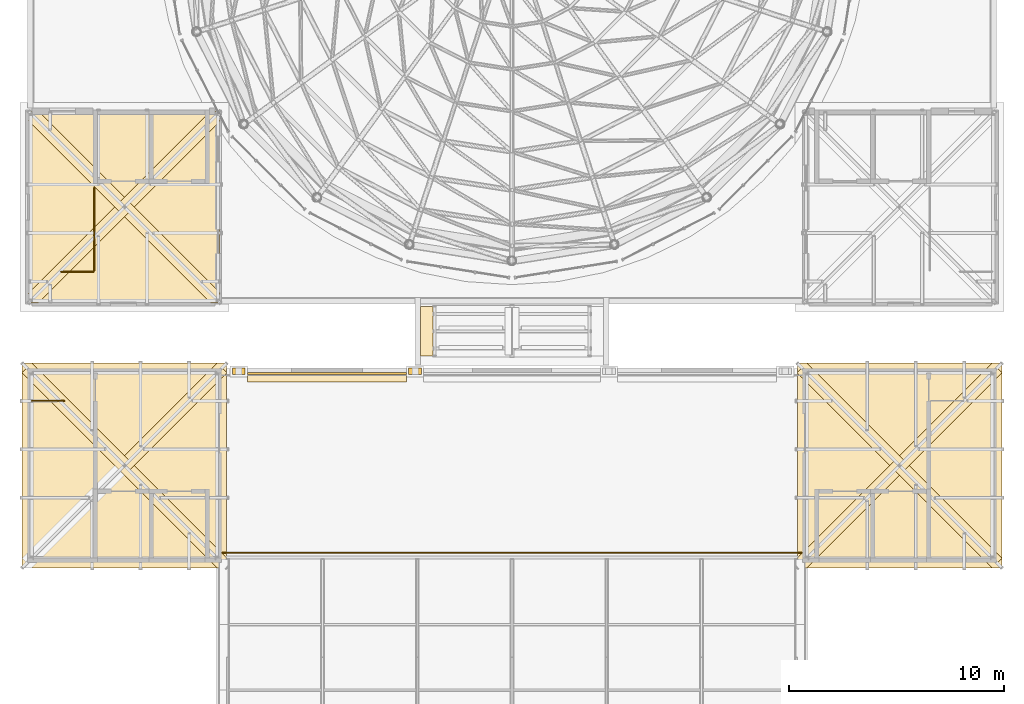
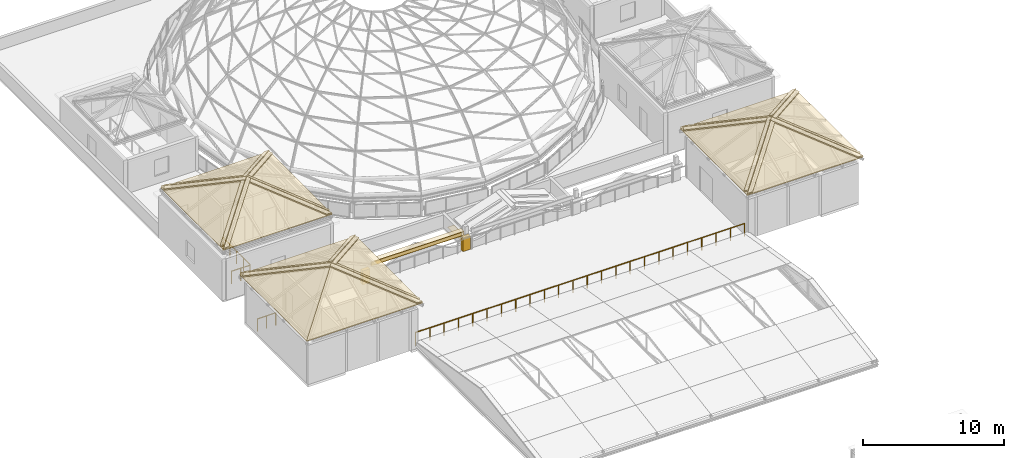
# One storey, part 66 of 69: 39 coverings, 4 railings.
"""IFC4 building model written with IfcOpenShell, lengths in metres."""

from ifc_helpers import new_model, si_unit, direction, frame, origin, origin_2d, place, context, subcontext, project, spatial, polyline, rectangle, circle, outline, extrude, material, layer, layer_set, type_object, element, save


model = new_model("IFC4")

# Units and contexts
model_context = context("Model", 3, precision=1e-05, world=origin(), true_north=direction((0.0, 1.0)))
body_context = subcontext(model_context, "Body", "Model", "MODEL_VIEW")
ifc_project = project(units=[si_unit("LENGTHUNIT", "METRE"), si_unit("AREAUNIT", "SQUARE_METRE"), si_unit("VOLUMEUNIT", "CUBIC_METRE"), si_unit("PLANEANGLEUNIT", "RADIAN"), si_unit("MASSUNIT", "GRAM", prefix="KILO")], contexts=[model_context])

# Site, building, storey
site_placement = place(None, origin())
site = spatial("IfcSite", under=ifc_project, at=site_placement, CompositionType="ELEMENT")
building_placement = place(site_placement, origin())
building = spatial("IfcBuilding", under=site, at=building_placement, Name="Kallimachos Central Library", CompositionType="ELEMENT")
storey_placement = place(building_placement, frame((0.0, 0.0, 23.39990234375)))
storey = spatial("IfcBuildingStorey", under=building, at=storey_placement, Name="L05", CompositionType="ELEMENT", Elevation=23.39990234375)

# Coverings
ifc_material_1 = material(Name="Glazed ceramic hip tile")
ifc_layer_1 = layer(ifc_material_1, 0.1201171875)
ifc_layer_set_1 = layer_set([ifc_layer_1], Name="Ceramic hip tile 300")
covering_type_1 = type_object("IfcCoveringType", Name="Ceramic hip tile 300", PredefinedType="MOLDING", material=ifc_layer_set_1)
covering_1_placement = place(storey_placement, frame((74.7216796875, 74.75, 4.15478515625), z_axis=(0.000236468736, -0.406535481479, 0.913634963419), x_axis=(-0.999999972041, -9.6132934e-05, 0.000216046111)))
element("IfcCovering", 1, at=covering_1_placement, inside=storey, type_object=covering_type_1, Name="Head-house roof V4-NW hip tile", PredefinedType="MOLDING", context=body_context, shape_type="SweptSolid", body=[
    extrude(outline(polyline([(0.0, 0.0), (0.42407225376847724, 0.0), (4.947998185214756, -4.951821417594038), (4.735839952445034, -5.183967781277374), (0.0, 0.0)])), origin(), (0.0, 0.0, -1.0), 0.1201171875),
])
covering_2_placement = place(storey_placement, frame((70.01416015625, 79.51416015625, 6.26318359375), z_axis=(0.406519720699, -0.000257103097, 0.913641970676), x_axis=(0.674494639355, 0.67461350523, -0.29992265677)))
element("IfcCovering", 2, at=covering_2_placement, inside=storey, type_object=covering_type_1, Name="Head-house roof V4-NW hip tile", PredefinedType="MOLDING", context=body_context, shape_type="SweptSolid", body=[
    extrude(outline(polyline([(0.0, 0.0), (0.31448855545818816, -1.3877787807814457e-17), (0.9178784087407565, -6.679997146065238), (0.8989378440187334, -6.700722164353749), (0.6053834533078899, -6.700671049751256), (0.0, 0.0)])), origin(), (0.0, 0.0, -1.0), 0.1201171875),
])
covering_3_placement = place(storey_placement, frame((70.226318359375, 79.726318359375, 6.1689453125), z_axis=(-0.000236468736, 0.406535481479, 0.913634963419), x_axis=(-0.674613510996, -0.674483805089, 0.299947007744)))
element("IfcCovering", 3, at=covering_3_placement, inside=storey, type_object=covering_type_1, Name="Head-house roof V4-NW hip tile", PredefinedType="MOLDING", context=body_context, shape_type="SweptSolid", body=[
    extrude(outline(polyline([(0.0, 0.0), (0.31448855289718697, 6.938893903907228e-18), (-0.31730498315910727, -6.993035030678305), (-0.6033898631884471, -6.679997145056015), (0.0, 0.0)])), origin(), (0.0, 0.0, -1.0), 0.1201171875),
])
covering_4_placement = place(storey_placement, frame((69.98583984375, 79.48583984375, 6.26318359375), z_axis=(-0.406519720699, 0.000257103097, 0.913641970676), x_axis=(-0.674494639355, -0.67461350523, -0.29992265677)))
element("IfcCovering", 4, at=covering_4_placement, inside=storey, type_object=covering_type_1, Name="Head-house roof V4-NW hip tile", PredefinedType="MOLDING", context=body_context, shape_type="SweptSolid", body=[
    extrude(outline(polyline([(0.0, 0.0), (0.31448855545818816, -1.3877787807814457e-17), (0.9178784087407565, -6.679997146065238), (0.8989378440187334, -6.700722164353749), (0.6053834533078899, -6.700671049751256), (0.0, 0.0)])), origin(), (0.0, 0.0, -1.0), 0.1201171875),
])
covering_5_placement = place(storey_placement, frame((69.98583984375, 79.51416015625, 6.26318359375), z_axis=(0.000236468736, 0.406535481479, 0.913634963419), x_axis=(-0.674613510996, 0.674483805089, -0.299947007744)))
element("IfcCovering", 5, at=covering_5_placement, inside=storey, type_object=covering_type_1, Name="Head-house roof V4-NW hip tile", PredefinedType="MOLDING", context=body_context, shape_type="SweptSolid", body=[
    extrude(outline(polyline([(0.0, 0.0), (0.31448855289718697, -6.938893903907228e-18), (0.9178784160856339, -6.6799971450560145), (0.6317935360562941, -6.993035030678304), (0.0, 0.0)])), origin(), (0.0, 0.0, -1.0), 0.1201171875),
])
covering_6_placement = place(storey_placement, frame((74.552001953125, 84.023681640625, 4.242919921875), z_axis=(0.406519720699, 0.000257103097, 0.913641970676), x_axis=(0.674601937386, -0.674484962362, -0.299970434582)))
element("IfcCovering", 6, at=covering_6_placement, inside=storey, type_object=covering_type_1, Name="Head-house roof V4-NW hip tile", PredefinedType="MOLDING", context=body_context, shape_type="SweptSolid", body=[
    extrude(outline(polyline([(0.0, 0.0), (0.29355439516096016, -3.469446951953614e-17), (0.3124913508913393, -0.020728315964252488), (-0.29206163508227867, -6.700620296650352), (-0.6065501857730001, -6.70056553692689), (0.0, 0.0)])), origin(), (0.0, 0.0, -1.0), 0.1201171875),
])
covering_7_placement = place(storey_placement, frame((106.01416015625, 79.48583984375, 6.26318359375), z_axis=(-0.000236468736, -0.406535481479, 0.913634963419), x_axis=(0.674613510996, -0.674483805089, -0.299947007744)))
element("IfcCovering", 7, at=covering_7_placement, inside=storey, type_object=covering_type_1, Name="Head-house roof V4-NE hip tile", PredefinedType="MOLDING", context=body_context, shape_type="SweptSolid", body=[
    extrude(outline(polyline([(0.0, 0.0), (0.31448855289718697, -6.938893903907228e-18), (0.9178784160856339, -6.6799971450560145), (0.6317935360562941, -6.993035030678304), (0.0, 0.0)])), origin(), (0.0, 0.0, -1.0), 0.1201171875),
])
covering_8_placement = place(storey_placement, frame((105.773681640625, 79.726318359375, 6.1689453125), z_axis=(-0.406519720699, -0.000257103097, 0.913641970676), x_axis=(0.674494639355, -0.67461350523, 0.29992265677)))
element("IfcCovering", 8, at=covering_8_placement, inside=storey, type_object=covering_type_1, Name="Head-house roof V4-NE hip tile", PredefinedType="MOLDING", context=body_context, shape_type="SweptSolid", body=[
    extrude(outline(polyline([(0.0, 0.0), (0.31448855545818816, 1.3877787807814457e-17), (-0.2908948978497018, -6.700671049751256), (-0.5844492885605453, -6.700722164353748), (-0.6033898532825684, -6.679997146065239), (0.0, 0.0)])), origin(), (0.0, 0.0, -1.0), 0.1201171875),
])
covering_9_placement = place(storey_placement, frame((110.7216796875, 74.75, 4.15478515625), z_axis=(0.000236468736, -0.406535481479, 0.913634963419), x_axis=(-0.999999972041, -9.6132934e-05, 0.000216046111)))
element("IfcCovering", 9, at=covering_9_placement, inside=storey, type_object=covering_type_1, Name="Head-house roof V4-NE hip tile", PredefinedType="MOLDING", context=body_context, shape_type="SweptSolid", body=[
    extrude(outline(polyline([(0.0, 0.0), (0.42407225376847724, 0.0), (4.947998185214756, -4.951821417594038), (4.735839952445034, -5.183967781277374), (0.0, 0.0)])), origin(), (0.0, 0.0, -1.0), 0.1201171875),
])
covering_10_placement = place(storey_placement, frame((106.01416015625, 79.51416015625, 6.26318359375), z_axis=(0.406519720699, -0.000257103097, 0.913641970676), x_axis=(0.674494639355, 0.67461350523, -0.29992265677)))
element("IfcCovering", 10, at=covering_10_placement, inside=storey, type_object=covering_type_1, Name="Head-house roof V4-NE hip tile", PredefinedType="MOLDING", context=body_context, shape_type="SweptSolid", body=[
    extrude(outline(polyline([(0.0, 0.0), (0.31448855545818816, -1.3877787807814457e-17), (0.9178784087407565, -6.679997146065238), (0.8989378440187334, -6.700722164353749), (0.6053834533078899, -6.700671049751256), (0.0, 0.0)])), origin(), (0.0, 0.0, -1.0), 0.1201171875),
])
covering_11_placement = place(storey_placement, frame((106.226318359375, 79.726318359375, 6.1689453125), z_axis=(-0.000236468736, 0.406535481479, 0.913634963419), x_axis=(-0.674613510996, -0.674483805089, 0.299947007744)))
element("IfcCovering", 11, at=covering_11_placement, inside=storey, type_object=covering_type_1, Name="Head-house roof V4-NE hip tile", PredefinedType="MOLDING", context=body_context, shape_type="SweptSolid", body=[
    extrude(outline(polyline([(0.0, 0.0), (0.31448855289718697, 6.938893903907228e-18), (-0.31730498315910727, -6.993035030678305), (-0.6033898631884471, -6.679997145056015), (0.0, 0.0)])), origin(), (0.0, 0.0, -1.0), 0.1201171875),
])
covering_12_placement = place(storey_placement, frame((105.98583984375, 79.48583984375, 6.26318359375), z_axis=(-0.406519720699, 0.000257103097, 0.913641970676), x_axis=(-0.674494639355, -0.67461350523, -0.29992265677)))
element("IfcCovering", 12, at=covering_12_placement, inside=storey, type_object=covering_type_1, Name="Head-house roof V4-NE hip tile", PredefinedType="MOLDING", context=body_context, shape_type="SweptSolid", body=[
    extrude(outline(polyline([(0.0, 0.0), (0.31448855545818816, -1.3877787807814457e-17), (0.9178784087407565, -6.679997146065238), (0.8989378440187334, -6.700722164353749), (0.6053834533078899, -6.700671049751256), (0.0, 0.0)])), origin(), (0.0, 0.0, -1.0), 0.1201171875),
])
covering_13_placement = place(storey_placement, frame((105.98583984375, 79.51416015625, 6.26318359375), z_axis=(0.000236468736, 0.406535481479, 0.913634963419), x_axis=(-0.674613510996, 0.674483805089, -0.299947007744)))
element("IfcCovering", 13, at=covering_13_placement, inside=storey, type_object=covering_type_1, Name="Head-house roof V4-NE hip tile", PredefinedType="MOLDING", context=body_context, shape_type="SweptSolid", body=[
    extrude(outline(polyline([(0.0, 0.0), (0.31448855289718697, -6.938893903907228e-18), (0.9178784160856339, -6.6799971450560145), (0.6317935360562941, -6.993035030678304), (0.0, 0.0)])), origin(), (0.0, 0.0, -1.0), 0.1201171875),
])
covering_14_placement = place(storey_placement, frame((110.552001953125, 84.023681640625, 4.242919921875), z_axis=(0.406519720699, 0.000257103097, 0.913641970676), x_axis=(0.674601937386, -0.674484962362, -0.299970434582)))
element("IfcCovering", 14, at=covering_14_placement, inside=storey, type_object=covering_type_1, Name="Head-house roof V4-NE hip tile", PredefinedType="MOLDING", context=body_context, shape_type="SweptSolid", body=[
    extrude(outline(polyline([(0.0, 0.0), (0.29355439516096016, -3.469446951953614e-17), (0.3124913508913393, -0.020728315964252488), (-0.29206163508227867, -6.700620296650352), (-0.6065501857730001, -6.70056553692689), (0.0, 0.0)])), origin(), (0.0, 0.0, -1.0), 0.1201171875),
])
covering_15_placement = place(storey_placement, frame((70.01416015625, 91.48583984375, 6.435546875), z_axis=(3.056612e-05, -0.406744607854, 0.913541910942), x_axis=(0.67445632232, -0.674473081909, -0.300324376404)))
element("IfcCovering", 15, at=covering_15_placement, inside=storey, type_object=covering_type_1, Name="Head-house roof V1-SW hip tile", PredefinedType="MOLDING", context=body_context, shape_type="SweptSolid", body=[
    extrude(outline(polyline([(0.0, 0.0), (0.31456181297449826, 0.0), (0.8791892132729303, -6.23676214063371), (0.5931709926014294, -6.549860948916669), (0.0, 0.0)])), origin(), (0.0, 0.0, -1.0), 0.1201171875),
])
covering_16_placement = place(storey_placement, frame((65.748046875, 87.2763671875, 4.548583984375), z_axis=(-0.406522422239, -0.000261720256, 0.913640767326), x_axis=(-0.674461665725, 0.674653452082, -0.299906954005)))
element("IfcCovering", 16, at=covering_16_placement, inside=storey, type_object=covering_type_1, Name="Head-house roof V1-SW hip tile", PredefinedType="MOLDING", context=body_context, shape_type="SweptSolid", body=[
    extrude(outline(polyline([(0.0, 0.0), (0.293481167964776, -2.0816681711721685e-17), (0.31242285424149907, -0.02072399320001158), (-0.25053876741853565, -6.257636714854118), (-0.5651005419729046, -6.257720735271162), (0.0, 0.0)])), origin(), (0.0, 0.0, -1.0), 0.1201171875),
])
covering_17_placement = place(storey_placement, frame((74.421630859375, 87.050048828125, 4.460693359375), z_axis=(-3.056612e-05, -0.406744607854, 0.913541910942), x_axis=(-0.999999999533, 1.2432605e-05, -2.7923432e-05)))
element("IfcCovering", 17, at=covering_17_placement, inside=storey, type_object=covering_type_1, Name="Head-house roof V1-SW hip tile", PredefinedType="MOLDING", context=body_context, shape_type="SweptSolid", body=[
    extrude(outline(polyline([(0.0, 0.0), (0.42407226542689724, 0.0), (4.6479492209212605, -4.623296395955315), (4.435791017300947, -4.855542022003266), (0.0, 0.0)])), origin(), (0.0, 0.0, -1.0), 0.1201171875),
])
covering_18_placement = place(storey_placement, frame((70.01416015625, 91.51416015625, 6.435546875), z_axis=(0.406522422239, -0.000261720256, 0.913640767326), x_axis=(0.674626260598, 0.674456270009, -0.299980246612)))
element("IfcCovering", 18, at=covering_18_placement, inside=storey, type_object=covering_type_1, Name="Head-house roof V1-SW hip tile", PredefinedType="MOLDING", context=body_context, shape_type="SweptSolid", body=[
    extrude(outline(polyline([(0.0, 0.0), (0.31456178577542476, 1.734723475976807e-17), (0.8791892858562154, -6.236762130396304), (0.8602531356972789, -6.257491182239505), (0.56677197820157, -6.257569571958925), (0.0, 0.0)])), origin(), (0.0, 0.0, -1.0), 0.1201171875),
])
covering_19_placement = place(storey_placement, frame((65.578369140625, 95.949951171875, 4.460693359375), z_axis=(3.056612e-05, 0.406744607854, 0.913541910942), x_axis=(0.999999999533, -1.2432605e-05, -2.7923432e-05)))
element("IfcCovering", 19, at=covering_19_placement, inside=storey, type_object=covering_type_1, Name="Head-house roof V1-SW hip tile", PredefinedType="MOLDING", context=body_context, shape_type="SweptSolid", body=[
    extrude(outline(polyline([(0.0, 0.0), (0.42407226542689724, 0.0), (4.6479492209212605, -4.623296395955315), (4.435791017300947, -4.855542022003266), (0.0, 0.0)])), origin(), (0.0, 0.0, -1.0), 0.1201171875),
])
covering_20_placement = place(storey_placement, frame((69.98583984375, 91.48583984375, 6.435546875), z_axis=(-0.406522422239, 0.000261720256, 0.913640767326), x_axis=(-0.674626260598, -0.674456270009, -0.299980246612)))
element("IfcCovering", 20, at=covering_20_placement, inside=storey, type_object=covering_type_1, Name="Head-house roof V1-SW hip tile", PredefinedType="MOLDING", context=body_context, shape_type="SweptSolid", body=[
    extrude(outline(polyline([(0.0, 0.0), (0.31456178577542476, 1.734723475976807e-17), (0.8791892858562154, -6.236762130396304), (0.8602531356972789, -6.257491182239505), (0.56677197820157, -6.257569571958925), (0.0, 0.0)])), origin(), (0.0, 0.0, -1.0), 0.1201171875),
])
covering_21_placement = place(storey_placement, frame((69.98583984375, 91.51416015625, 6.435546875), z_axis=(-3.056612e-05, 0.406744607854, 0.913541910942), x_axis=(-0.67445632232, 0.674473081909, -0.300324376404)))
element("IfcCovering", 21, at=covering_21_placement, inside=storey, type_object=covering_type_1, Name="Head-house roof V1-SW hip tile", PredefinedType="MOLDING", context=body_context, shape_type="SweptSolid", body=[
    extrude(outline(polyline([(0.0, 0.0), (0.31456181297449826, 0.0), (0.8791892132729303, -6.23676214063371), (0.5931709926014294, -6.549860948916669), (0.0, 0.0)])), origin(), (0.0, 0.0, -1.0), 0.1201171875),
])
covering_22_placement = place(storey_placement, frame((74.251953125, 95.7236328125, 4.548583984375), z_axis=(0.406522422239, 0.000261720256, 0.913640767326), x_axis=(0.674461665725, -0.674653452082, -0.299906954005)))
element("IfcCovering", 22, at=covering_22_placement, inside=storey, type_object=covering_type_1, Name="Head-house roof V1-SW hip tile", PredefinedType="MOLDING", context=body_context, shape_type="SweptSolid", body=[
    extrude(outline(polyline([(0.0, 0.0), (0.293481167964776, -2.0816681711721685e-17), (0.31242285424149907, -0.02072399320001158), (-0.25053876741853565, -6.257636714854118), (-0.5651005419729046, -6.257720735271162), (0.0, 0.0)])), origin(), (0.0, 0.0, -1.0), 0.1201171875),
])
ifc_material_2 = material(Name="Glazed ceramic frieze, green")
ifc_layer_2 = layer(ifc_material_2, 0.10009765625)
ifc_layer_set_2 = layer_set([ifc_layer_2], Name="Glazed ceramic frieze, green")
covering_type_2 = type_object("IfcCoveringType", Name="Glazed ceramic frieze, green", PredefinedType="CLADDING", material=ifc_layer_set_2)
covering_23_placement = place(storey_placement, frame((79.405029296875, 83.77001953125, 1.3916015625), z_axis=(0.0, 0.0, 1.0), x_axis=(1.0, 0.0, 0.0)))
element("IfcCovering", 23, at=covering_23_placement, inside=storey, type_object=covering_type_2, Name="Glazed ceramic frieze, green -L05-035", PredefinedType="CLADDING", context=body_context, shape_type="SweptSolid", body=[
    extrude(rectangle(XDim=7.389892578125, YDim=0.10009765625, at=origin_2d()), origin(), (0.0, 0.0, 1.0), 0.300048828125),
])
ifc_material_3 = material(Name="Glazed ceramic tile on deck")
ifc_layer_3 = layer(ifc_material_3, 0.10009765625)
ifc_layer_set_3 = layer_set([ifc_layer_3], Name="Glazed ceramic tile roofing 100")
covering_type_3 = type_object("IfcCoveringType", Name="Glazed ceramic tile roofing 100", PredefinedType="ROOFING", material=ifc_layer_set_3)
for number, where, z_axis, x_axis, name in (
    (24, (65.25, 74.75, 4.0234375), (0.0, -0.40672217128, 0.913551900764), (1.0, 0.0, 0.0), "Head-house roof V4-NW roofing S"),
    (25, (74.75, 84.25, 4.0234375), (0.0, 0.40672217128, 0.913551900764), (-1.0, 0.0, 0.0), "Head-house roof V4-NW roofing N"),
):
    element("IfcCovering", number, at=place(storey_placement, frame(where, z_axis=z_axis, x_axis=x_axis)), inside=storey, type_object=covering_type_3, Name=name, PredefinedType="ROOFING", context=body_context, shape_type="SweptSolid", body=[
        extrude(outline(polyline([(0.0, 0.0), (9.5, 0.0), (4.75, 5.199485651584287), (0.0, 0.0)])), origin(), (0.0, 0.0, -1.0), 0.10009765625),
    ])
covering_24_placement = place(storey_placement, frame((65.25, 74.75, 4.0234375), z_axis=(-0.40672217128, 0.0, 0.913551900764), x_axis=(0.674474048899, 0.674474048899, 0.300282391631)))
element("IfcCovering", 26, at=covering_24_placement, inside=storey, type_object=covering_type_3, Name="Head-house roof V4-NW roofing W", PredefinedType="ROOFING", context=body_context, shape_type="SweptSolid", body=[
    extrude(outline(polyline([(0.0, 0.0), (7.042524479263873, -3.3306690738754696e-16), (6.407503464541275, 7.013836279233467), (0.0, 0.0)])), origin(), (0.0, 0.0, -1.0), 0.10009765625),
])
for number, where, z_axis, x_axis, name in (
    (27, (74.75, 74.75, 4.0234375), (0.40672217128, 0.0, 0.913551900764), (0.0, 1.0, 0.0), "Head-house roof V4-NW roofing E"),
    (28, (101.25, 74.75, 4.0234375), (0.0, -0.40672217128, 0.913551900764), (1.0, 0.0, 0.0), "Head-house roof V4-NE roofing S"),
    (29, (110.75, 84.25, 4.0234375), (0.0, 0.40672217128, 0.913551900764), (-1.0, 0.0, 0.0), "Head-house roof V4-NE roofing N"),
):
    element("IfcCovering", number, at=place(storey_placement, frame(where, z_axis=z_axis, x_axis=x_axis)), inside=storey, type_object=covering_type_3, Name=name, PredefinedType="ROOFING", context=body_context, shape_type="SweptSolid", body=[
        extrude(outline(polyline([(0.0, 0.0), (9.5, 0.0), (4.75, 5.199485651584287), (0.0, 0.0)])), origin(), (0.0, 0.0, -1.0), 0.10009765625),
    ])
covering_25_placement = place(storey_placement, frame((101.25, 74.75, 4.0234375), z_axis=(-0.40672217128, 0.0, 0.913551900764), x_axis=(0.674474048899, 0.674474048899, 0.300282391631)))
element("IfcCovering", 30, at=covering_25_placement, inside=storey, type_object=covering_type_3, Name="Head-house roof V4-NE roofing W", PredefinedType="ROOFING", context=body_context, shape_type="SweptSolid", body=[
    extrude(outline(polyline([(0.0, 0.0), (7.042524479263873, -3.3306690738754696e-16), (6.407503464541275, 7.013836279233467), (0.0, 0.0)])), origin(), (0.0, 0.0, -1.0), 0.10009765625),
])
covering_26_placement = place(storey_placement, frame((110.75, 74.75, 4.0234375), z_axis=(0.40672217128, 0.0, 0.913551900764), x_axis=(0.0, 1.0, 0.0)))
element("IfcCovering", 31, at=covering_26_placement, inside=storey, type_object=covering_type_3, Name="Head-house roof V4-NE roofing E", PredefinedType="ROOFING", context=body_context, shape_type="SweptSolid", body=[
    extrude(outline(polyline([(0.0, 0.0), (9.5, 0.0), (4.75, 5.199485651584287), (0.0, 0.0)])), origin(), (0.0, 0.0, -1.0), 0.10009765625),
])
for number, where, z_axis, x_axis, name in (
    (32, (65.550048828125, 87.050048828125, 4.3291015625), (0.0, -0.406770806007, 0.91353024656), (1.0, 0.0, 0.0), "Head-house roof V1-SW roofing S"),
    (33, (74.449951171875, 95.949951171875, 4.3291015625), (0.0, 0.406770806007, 0.91353024656), (-1.0, 0.0, 0.0), "Head-house roof V1-SW roofing N"),
):
    element("IfcCovering", number, at=place(storey_placement, frame(where, z_axis=z_axis, x_axis=x_axis)), inside=storey, type_object=covering_type_3, Name=name, PredefinedType="ROOFING", context=body_context, shape_type="SweptSolid", body=[
        extrude(outline(polyline([(0.0, 0.0), (8.89990234375, 0.0), (4.449951171875, 4.871159098048421), (0.0, 0.0)])), origin(), (0.0, 0.0, -1.0), 0.10009765625),
    ])
covering_27_placement = place(storey_placement, frame((65.550048828125, 87.050048828125, 4.3291015625), z_axis=(-0.406770806007, 0.0, 0.91353024656), x_axis=(0.674465334342, 0.674465334342, 0.300321536925)))
element("IfcCovering", 34, at=covering_27_placement, inside=storey, type_object=covering_type_3, Name="Head-house roof V1-SW roofing W", PredefinedType="ROOFING", context=body_context, shape_type="SweptSolid", body=[
    extrude(outline(polyline([(0.0, 0.0), (6.597746311474215, 5.551115123125783e-16), (6.002675609892335, 6.570855899400813), (0.0, 0.0)])), origin(), (0.0, 0.0, -1.0), 0.10009765625),
])
covering_28_placement = place(storey_placement, frame((74.449951171875, 87.050048828125, 4.3291015625), z_axis=(0.406770806007, 0.0, 0.91353024656), x_axis=(0.0, 1.0, 0.0)))
element("IfcCovering", 35, at=covering_28_placement, inside=storey, type_object=covering_type_3, Name="Head-house roof V1-SW roofing E", PredefinedType="ROOFING", context=body_context, shape_type="SweptSolid", body=[
    extrude(outline(polyline([(0.0, 0.0), (8.89990234375, 0.0), (4.449951171875, 4.871159098048421), (0.0, 0.0)])), origin(), (0.0, 0.0, -1.0), 0.10009765625),
])

# Railings
ifc_material_4 = material(Name="Wrought iron")
railing_type_1 = type_object("IfcRailingType", Name="Roof garden guard", PredefinedType="GUARDRAIL", material=ifc_material_4)
railing_1_placement = place(storey_placement, frame((74.550048828125, 75.449951171875, 0.0)))
element("IfcRailing", 36, at=railing_1_placement, inside=storey, type_object=railing_type_1, Name="North roof garden guard atrium", PredefinedType="GUARDRAIL", context=body_context, shape_type="SweptSolid", body=[
    extrude(circle(Radius=0.02392578125, at=origin_2d()), frame((0.0, 0.0, 1.076171875), z_axis=(1.0, 0.0, 0.0), x_axis=(0.0, 1.0, 0.0)), (0.0, 0.0, 1.0), 26.89990234375),
    extrude(circle(Radius=0.02099609375, at=origin_2d()), origin(), (0.0, 0.0, 1.0), 1.052001953125),
    extrude(circle(Radius=0.02099609375, at=origin_2d()), frame((1.169677734375, 0.0, 0.0)), (0.0, 0.0, 1.0), 1.052001953125),
    extrude(circle(Radius=0.02099609375, at=origin_2d()), frame((2.339111328125, 0.0, 0.0)), (0.0, 0.0, 1.0), 1.052001953125),
    extrude(circle(Radius=0.02099609375, at=origin_2d()), frame((3.5087890625, 0.0, 0.0)), (0.0, 0.0, 1.0), 1.052001953125),
    extrude(circle(Radius=0.02099609375, at=origin_2d()), frame((4.67822265625, 0.0, 0.0)), (0.0, 0.0, 1.0), 1.052001953125),
    extrude(circle(Radius=0.02099609375, at=origin_2d()), frame((5.847900390625, 0.0, 0.0)), (0.0, 0.0, 1.0), 1.052001953125),
    extrude(circle(Radius=0.02099609375, at=origin_2d()), frame((7.017333984375, 0.0, 0.0)), (0.0, 0.0, 1.0), 1.052001953125),
    extrude(circle(Radius=0.02099609375, at=origin_2d()), frame((8.18701171875, 0.0, 0.0)), (0.0, 0.0, 1.0), 1.052001953125),
    extrude(circle(Radius=0.02099609375, at=origin_2d()), frame((9.3564453125, 0.0, 0.0)), (0.0, 0.0, 1.0), 1.052001953125),
    extrude(circle(Radius=0.02099609375, at=origin_2d()), frame((10.526123046875, 0.0, 0.0)), (0.0, 0.0, 1.0), 1.052001953125),
    extrude(circle(Radius=0.02099609375, at=origin_2d()), frame((11.695556640625, 0.0, 0.0)), (0.0, 0.0, 1.0), 1.052001953125),
    extrude(circle(Radius=0.02099609375, at=origin_2d()), frame((12.865234375, 0.0, 0.0)), (0.0, 0.0, 1.0), 1.052001953125),
    extrude(circle(Radius=0.02099609375, at=origin_2d()), frame((14.03466796875, 0.0, 0.0)), (0.0, 0.0, 1.0), 1.052001953125),
    extrude(circle(Radius=0.02099609375, at=origin_2d()), frame((15.204345703125, 0.0, 0.0)), (0.0, 0.0, 1.0), 1.052001953125),
    extrude(circle(Radius=0.02099609375, at=origin_2d()), frame((16.373779296875, 0.0, 0.0)), (0.0, 0.0, 1.0), 1.052001953125),
    extrude(circle(Radius=0.02099609375, at=origin_2d()), frame((17.54345703125, 0.0, 0.0)), (0.0, 0.0, 1.0), 1.052001953125),
    extrude(circle(Radius=0.02099609375, at=origin_2d()), frame((18.712890625, 0.0, 0.0)), (0.0, 0.0, 1.0), 1.052001953125),
    extrude(circle(Radius=0.02099609375, at=origin_2d()), frame((19.882568359375, 0.0, 0.0)), (0.0, 0.0, 1.0), 1.052001953125),
    extrude(circle(Radius=0.02099609375, at=origin_2d()), frame((21.052001953125, 0.0, 0.0)), (0.0, 0.0, 1.0), 1.052001953125),
    extrude(circle(Radius=0.02099609375, at=origin_2d()), frame((22.2216796875, 0.0, 0.0)), (0.0, 0.0, 1.0), 1.052001953125),
    extrude(circle(Radius=0.02099609375, at=origin_2d()), frame((23.39111328125, 0.0, 0.0)), (0.0, 0.0, 1.0), 1.052001953125),
    extrude(circle(Radius=0.02099609375, at=origin_2d()), frame((24.560791015625, 0.0, 0.0)), (0.0, 0.0, 1.0), 1.052001953125),
    extrude(circle(Radius=0.02099609375, at=origin_2d()), frame((25.730224609375, 0.0, 0.0)), (0.0, 0.0, 1.0), 1.052001953125),
    extrude(circle(Radius=0.02099609375, at=origin_2d()), frame((26.89990234375, 0.0, 0.0)), (0.0, 0.0, 1.0), 1.052001953125),
])
ifc_material_5 = material(Name="Wrought iron")
railing_type_2 = type_object("IfcRailingType", Name="Stair guard", PredefinedType="GUARDRAIL", material=ifc_material_5)
railing_2_placement = place(storey_placement, frame((65.699951171875, 82.5, 0.0)))
element("IfcRailing", 37, at=railing_2_placement, inside=storey, type_object=railing_type_2, Name="L05 ST9 top well guard 1", PredefinedType="GUARDRAIL", context=body_context, shape_type="SweptSolid", body=[
    extrude(circle(Radius=0.02392578125, at=origin_2d()), frame((0.0, 0.0, 1.076171875), z_axis=(1.0, 0.0, 0.0), x_axis=(0.0, 1.0, 0.0)), (0.0, 0.0, 1.0), 1.5),
    extrude(circle(Radius=0.02099609375, at=origin_2d()), origin(), (0.0, 0.0, 1.0), 1.052001953125),
    extrude(circle(Radius=0.02099609375, at=origin_2d()), frame((0.75, 0.0, 0.0)), (0.0, 0.0, 1.0), 1.052001953125),
    extrude(circle(Radius=0.02099609375, at=origin_2d()), frame((1.5, 0.0, 0.0)), (0.0, 0.0, 1.0), 1.052001953125),
])

# Coverings
ifc_material_6 = material(Name="Pentelic marble cornice", Category="masonry")
ifc_layer_4 = layer(ifc_material_6, 0.449951171875)
ifc_layer_set_4 = layer_set([ifc_layer_4], Name="Stone cornice 450")
covering_type_4 = type_object("IfcCoveringType", Name="Stone cornice 450", PredefinedType="MOLDING", material=ifc_layer_set_4)
covering_29_placement = place(storey_placement, frame((79.405029296875, 83.594970703125, 1.71142578125), z_axis=(0.0, 0.0, 1.0), x_axis=(1.0, 0.0, 0.0)))
element("IfcCovering", 38, at=covering_29_placement, inside=storey, type_object=covering_type_4, Name="Stone cornice 450 -L05-035", PredefinedType="MOLDING", context=body_context, shape_type="SweptSolid", body=[
    extrude(rectangle(XDim=7.389892578125, YDim=0.449951171875, at=origin_2d()), origin(), (0.0, 0.0, 1.0), 0.300048828125),
])
ifc_material_7 = material(Name="Pentelic marble pinnacle", Category="masonry")
ifc_layer_5 = layer(ifc_material_7, 0.60009765625)
ifc_layer_set_5 = layer_set([ifc_layer_5], Name="Stone pinnacle shaft 600")
covering_type_5 = type_object("IfcCoveringType", Name="Stone pinnacle shaft 600", PredefinedType="MOLDING", material=ifc_layer_set_5)
for number, where, z_axis, x_axis, name in (
    (39, (75.31005859375, 83.8701171875, 0.0), (0.0, 0.0, 1.0), (1.0, 0.0, 0.0), "North row roof edge pinnacle 1 shaft"),
    (40, (83.5, 83.8701171875, 0.0), (0.0, 0.0, 1.0), (1.0, 0.0, 0.0), "North row roof edge pinnacle 2 shaft"),
):
    element("IfcCovering", number, at=place(storey_placement, frame(where, z_axis=z_axis, x_axis=x_axis)), inside=storey, type_object=covering_type_5, Name=name, PredefinedType="MOLDING", context=body_context, shape_type="SweptSolid", body=[
        extrude(rectangle(XDim=0.60009765625, YDim=0.300048828125, at=origin_2d()), origin(), (0.0, 0.0, 1.0), 1.1943359375),
    ])
ifc_material_8 = material(Name="Lead-coated copper sheet")
ifc_layer_6 = layer(ifc_material_8, 0.02001953125)
ifc_layer_set_6 = layer_set([ifc_layer_6], Name="Valley gutter lining")
covering_type_6 = type_object("IfcCoveringType", Name="Valley gutter lining", PredefinedType="MEMBRANE", material=ifc_layer_set_6)
covering_30_placement = place(storey_placement, frame((84.0400390625, 85.737548828125, 0.0), z_axis=(0.0, 0.0, 1.0), x_axis=(1.0, 0.0, 0.0)))
element("IfcCovering", 41, at=covering_30_placement, inside=storey, type_object=covering_type_6, Name="Reading Link roof gutter W", PredefinedType="MEMBRANE", context=body_context, shape_type="SweptSolid", body=[
    extrude(rectangle(XDim=0.56005859375, YDim=2.300048828125, at=origin_2d()), origin(), (0.0, 0.0, 1.0), 0.02001953125),
])

# Railings
ifc_material_9 = material(Name="Wrought iron")
railing_type_3 = type_object("IfcRailingType", Name="Wrought-iron stair guard 1100", PredefinedType="GUARDRAIL", material=ifc_material_9)
railing_3_placement = place(storey_placement, frame((68.550048828125, 88.5, 0.0)))
element("IfcRailing", 42, at=railing_3_placement, inside=storey, type_object=railing_type_3, Name="L05 ST1 top well guard 1", PredefinedType="GUARDRAIL", context=body_context, shape_type="SweptSolid", body=[
    extrude(circle(Radius=0.02392578125, at=origin_2d()), frame((0.0, 0.0, 1.076171875), z_axis=(-1.0, 0.0, 0.0), x_axis=(0.0, -1.0, 0.0)), (0.0, 0.0, 1.0), 1.5),
    extrude(circle(Radius=0.02099609375, at=origin_2d()), origin(), (0.0, 0.0, 1.0), 1.052001953125),
    extrude(circle(Radius=0.02099609375, at=origin_2d()), frame((-0.75, 0.0, 0.0)), (0.0, 0.0, 1.0), 1.052001953125),
    extrude(circle(Radius=0.02099609375, at=origin_2d()), frame((-1.5, 0.0, 0.0)), (0.0, 0.0, 1.0), 1.052001953125),
])
railing_4_placement = place(storey_placement, frame((68.60009765625, 92.376220703125, 0.0)))
element("IfcRailing", 43, at=railing_4_placement, inside=storey, type_object=railing_type_3, Name="L05 ST1 roof stair well guard", PredefinedType="GUARDRAIL", context=body_context, shape_type="SweptSolid", body=[
    extrude(circle(Radius=0.02392578125, at=origin_2d()), frame((0.0, 0.0, 1.076171875), z_axis=(0.0, -1.0, 0.0), x_axis=(1.0, 0.0, 0.0)), (0.0, 0.0, 1.0), 3.822265625),
    extrude(circle(Radius=0.02099609375, at=origin_2d()), origin(), (0.0, 0.0, 1.0), 1.052001953125),
    extrude(circle(Radius=0.02099609375, at=origin_2d()), frame((0.0, -0.95556640625, 0.0)), (0.0, 0.0, 1.0), 1.052001953125),
    extrude(circle(Radius=0.02099609375, at=origin_2d()), frame((0.0, -1.9111328125, 0.0)), (0.0, 0.0, 1.0), 1.052001953125),
    extrude(circle(Radius=0.02099609375, at=origin_2d()), frame((0.0, -2.86669921875, 0.0)), (0.0, 0.0, 1.0), 1.052001953125),
    extrude(circle(Radius=0.02099609375, at=origin_2d()), frame((0.0, -3.822265625, 0.0)), (0.0, 0.0, 1.0), 1.052001953125),
])

save(model, "model.ifc")
